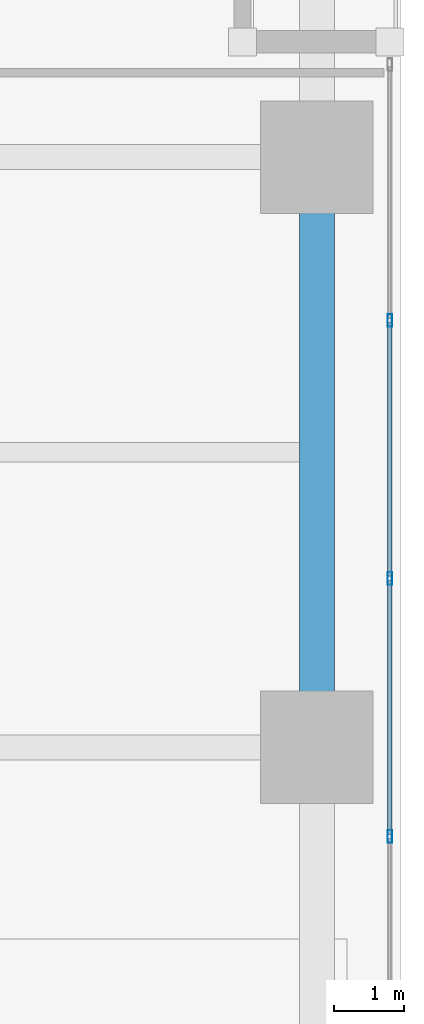
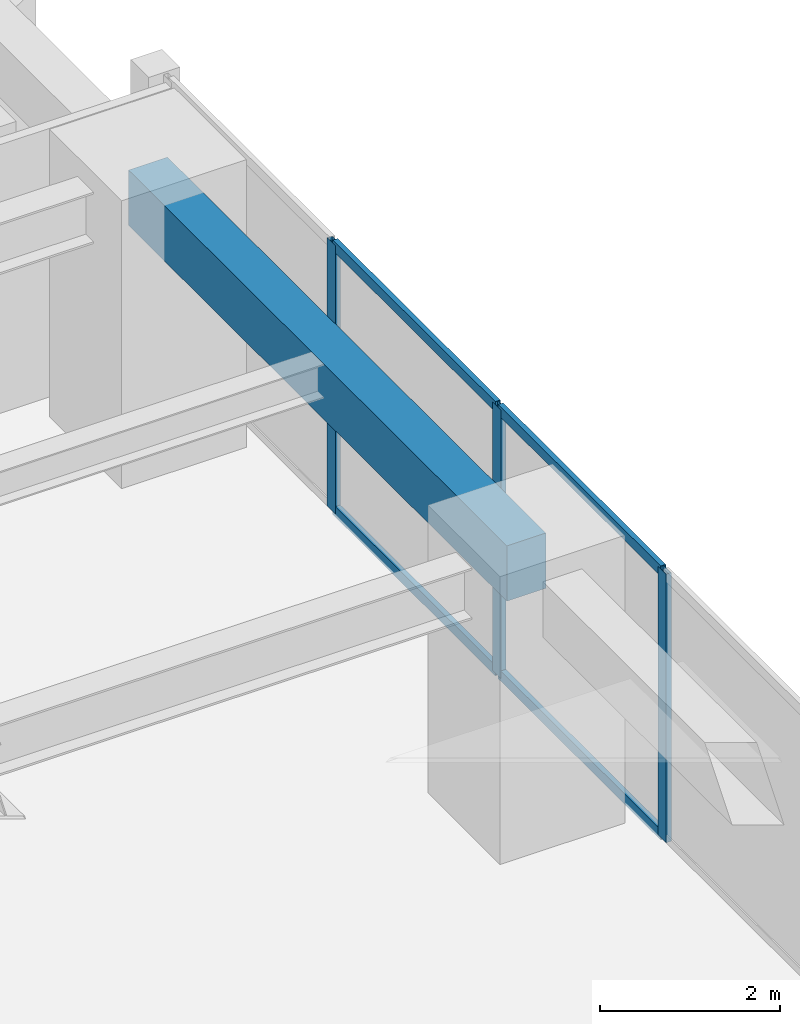
# One storey, part 8 of 28: 7 members, 1 beam, 1 element without a shape of its own.
"""IFC4 building model written with IfcOpenShell, lengths in metres."""

from ifc_helpers import new_model, si_unit, direction, frame, origin, origin_2d, place, context, subcontext, project, spatial, rectangle, hollow_rectangle, extrude, material, layer, layer_set, material_profile, profile_set, type_object, element, aggregate, save


model = new_model("IFC4")

# Units and contexts
model_context = context("Model", 3, precision=1e-05, world=origin(), true_north=direction((0.0, 1.0)))
body_context = subcontext(model_context, "Body", "Model", "MODEL_VIEW")
ifc_project = project(units=[si_unit("LENGTHUNIT", "METRE"), si_unit("AREAUNIT", "SQUARE_METRE"), si_unit("VOLUMEUNIT", "CUBIC_METRE"), si_unit("PLANEANGLEUNIT", "RADIAN"), si_unit("MASSUNIT", "GRAM", prefix="KILO")], contexts=[model_context])

# Site, building, storey
site_placement = place(None, origin())
site = spatial("IfcSite", under=ifc_project, at=site_placement, CompositionType="ELEMENT")
building_placement = place(site_placement, origin())
building = spatial("IfcBuilding", under=site, at=building_placement, Name="Kiyonajd Concourse Tower", CompositionType="ELEMENT")
storey_placement = place(building_placement, frame((0.0, 0.0, 37.199951171875)))
storey = spatial("IfcBuildingStorey", under=building, at=storey_placement, Name="L10", CompositionType="ELEMENT", Elevation=37.199951171875)

# Beam
ifc_material_1 = material(Name="Precast concrete C50/60", Category="concrete")
ifc_material_profile_1 = material_profile(ifc_material_1, rectangle(XDim=0.5, YDim=0.75, at=origin_2d()), Name="RCBM-500x750")
ifc_profile_set_1 = profile_set([ifc_material_profile_1], Name="Precast concrete C50/60")
beam_type = type_object("IfcBeamType", Name="BM-SPAN-RC", PredefinedType="SPANDREL", material=ifc_profile_set_1)
beam_placement = place(storey_placement, frame((78.0, 27.60009765625, 3.26513671875), z_axis=(0.0, 1.0, 0.0), x_axis=(-1.0, 0.0, 0.0)))
element("IfcBeam", 1, at=beam_placement, inside=storey, type_object=beam_type, Name="L10 Perimeter Bundled Tube Spandrel", PredefinedType="SPANDREL", context=body_context, shape_type="SweptSolid", body=[
    extrude(rectangle(XDim=0.5, YDim=0.75, at=origin_2d()), origin(), (0.0, 0.0, 1.0), 8.39990234375),
])

# Curtain wall, members
ifc_material_2 = material(Name="Thermally Broken Anodised Aluminium", Category="aluminium")
ifc_layer = layer(ifc_material_2, 0.179931640625)
ifc_layer_set = layer_set([ifc_layer], Name="Thermally Broken Anodised Aluminium")
curtain_wall_type = type_object("IfcCurtainWallType", Name="CW-SYS-02", PredefinedType="NOTDEFINED", material=ifc_layer_set)
curtain_wall_placement = place(storey_placement, origin())
curtain_wall = element("IfcCurtainWall", 2, at=curtain_wall_placement, inside=storey, type_object=curtain_wall_type, Name="L10 Unitised Curtain Wall CW2", PredefinedType="NOTDEFINED")
ifc_material_profile_2 = material_profile(ifc_material_2, hollow_rectangle(XDim=0.06494140625, YDim=0.179931640625, WallThickness=0.00390625, at=origin_2d()), Name="MULL-65x180")
ifc_profile_set_2 = profile_set([ifc_material_profile_2], Name="Thermally Broken Anodised Aluminium")
member_type_1 = type_object("IfcMemberType", Name="MB-CW-MULL1", PredefinedType="MULLION", material=ifc_profile_set_2)
member_1_placement = place(storey_placement, frame((79.0400390625, 33.6767578125, 0.0), z_axis=(0.0, 0.0, 1.0), x_axis=(1.0, 0.0, 0.0)))
member_1 = element("IfcMember", 3, at=member_1_placement, type_object=member_type_1, Name="CW2 mullion 2", PredefinedType="MULLION", context=body_context, shape_type="SweptSolid", body=[
    extrude(hollow_rectangle(XDim=0.06494140625, YDim=0.179931640625, WallThickness=0.00390625, at=origin_2d()), origin(), (0.0, 0.0, 1.0), 3.64013671875),
])
member_2_placement = place(storey_placement, frame((79.0400390625, 30.003662109375, 0.0), z_axis=(0.0, 0.0, 1.0), x_axis=(1.0, 0.0, 0.0)))
member_2 = element("IfcMember", 4, at=member_2_placement, type_object=member_type_1, Name="CW2 mullion 3", PredefinedType="MULLION", context=body_context, shape_type="SweptSolid", body=[
    extrude(hollow_rectangle(XDim=0.06494140625, YDim=0.179931640625, WallThickness=0.00390625, at=origin_2d()), origin(), (0.0, 0.0, 1.0), 3.64013671875),
])
member_3_placement = place(storey_placement, frame((79.0400390625, 26.33056640625, 0.0), z_axis=(0.0, 0.0, 1.0), x_axis=(1.0, 0.0, 0.0)))
member_3 = element("IfcMember", 5, at=member_3_placement, type_object=member_type_1, Name="CW2 mullion 4", PredefinedType="MULLION", context=body_context, shape_type="SweptSolid", body=[
    extrude(hollow_rectangle(XDim=0.06494140625, YDim=0.179931640625, WallThickness=0.00390625, at=origin_2d()), origin(), (0.0, 0.0, 1.0), 3.64013671875),
])
ifc_material_profile_3 = material_profile(ifc_material_2, hollow_rectangle(XDim=0.06494140625, YDim=0.139892578125, WallThickness=0.00390625, at=origin_2d()), Name="TRAN-65x140")
ifc_profile_set_3 = profile_set([ifc_material_profile_3], Name="Thermally Broken Anodised Aluminium")
member_type_2 = type_object("IfcMemberType", Name="MB-CW-TRAN1", PredefinedType="USERDEFINED", material=ifc_profile_set_3)
member_4_placement = place(storey_placement, frame((79.0400390625, 33.644287109375, 0.032470703125), z_axis=(0.0, -1.0, 0.0), x_axis=(1.0, 0.0, 0.0)))
member_4 = element("IfcMember", 6, at=member_4_placement, type_object=member_type_2, Name="CW2 transom 2.1", ObjectType="TRANSOM", PredefinedType="USERDEFINED", context=body_context, shape_type="SweptSolid", body=[
    extrude(hollow_rectangle(XDim=0.06494140625, YDim=0.139892578125, WallThickness=0.00390625, at=origin_2d()), origin(), (0.0, 0.0, 1.0), 3.608154296875),
])
member_5_placement = place(storey_placement, frame((79.0400390625, 33.644287109375, 3.607666015625), z_axis=(0.0, -1.0, 0.0), x_axis=(1.0, 0.0, 0.0)))
member_5 = element("IfcMember", 7, at=member_5_placement, type_object=member_type_2, Name="CW2 transom 2.2", ObjectType="TRANSOM", PredefinedType="USERDEFINED", context=body_context, shape_type="SweptSolid", body=[
    extrude(hollow_rectangle(XDim=0.06494140625, YDim=0.139892578125, WallThickness=0.00390625, at=origin_2d()), origin(), (0.0, 0.0, 1.0), 3.608154296875),
])
member_6_placement = place(storey_placement, frame((79.0400390625, 29.97119140625, 0.032470703125), z_axis=(0.0, -1.0, 0.0), x_axis=(1.0, 0.0, 0.0)))
member_6 = element("IfcMember", 8, at=member_6_placement, type_object=member_type_2, Name="CW2 transom 3.1", ObjectType="TRANSOM", PredefinedType="USERDEFINED", context=body_context, shape_type="SweptSolid", body=[
    extrude(hollow_rectangle(XDim=0.06494140625, YDim=0.139892578125, WallThickness=0.00390625, at=origin_2d()), origin(), (0.0, 0.0, 1.0), 3.608154296875),
])
member_7_placement = place(storey_placement, frame((79.0400390625, 29.97119140625, 3.607666015625), z_axis=(0.0, -1.0, 0.0), x_axis=(1.0, 0.0, 0.0)))
member_7 = element("IfcMember", 9, at=member_7_placement, type_object=member_type_2, Name="CW2 transom 3.2", ObjectType="TRANSOM", PredefinedType="USERDEFINED", context=body_context, shape_type="SweptSolid", body=[
    extrude(hollow_rectangle(XDim=0.06494140625, YDim=0.139892578125, WallThickness=0.00390625, at=origin_2d()), origin(), (0.0, 0.0, 1.0), 3.608154296875),
])
aggregate(curtain_wall, [member_1, member_2, member_3, member_4, member_5, member_6, member_7])

save(model, "model.ifc")
